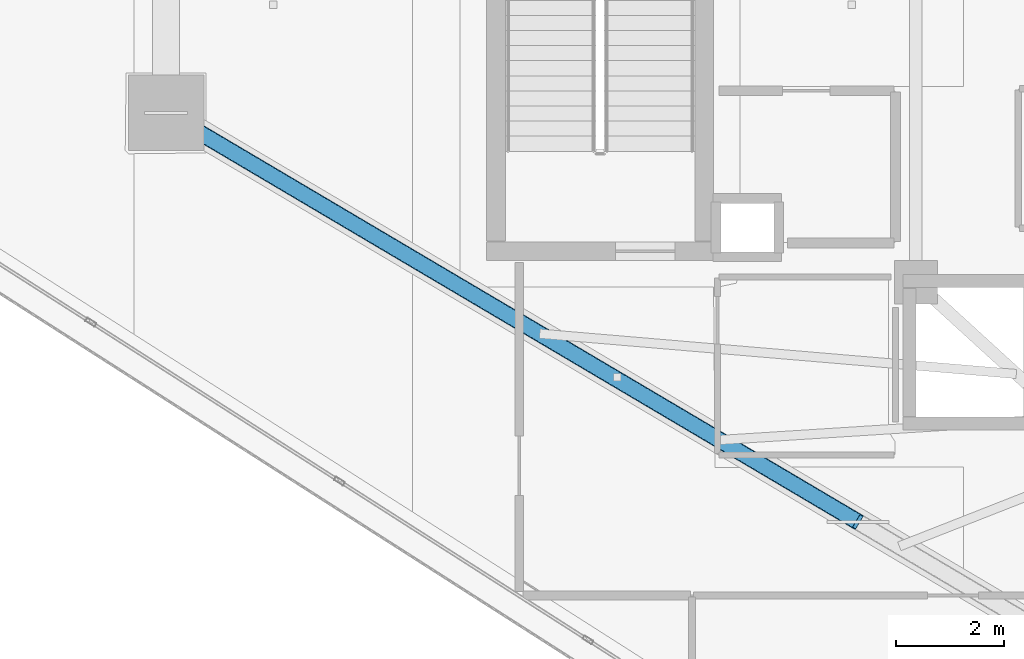
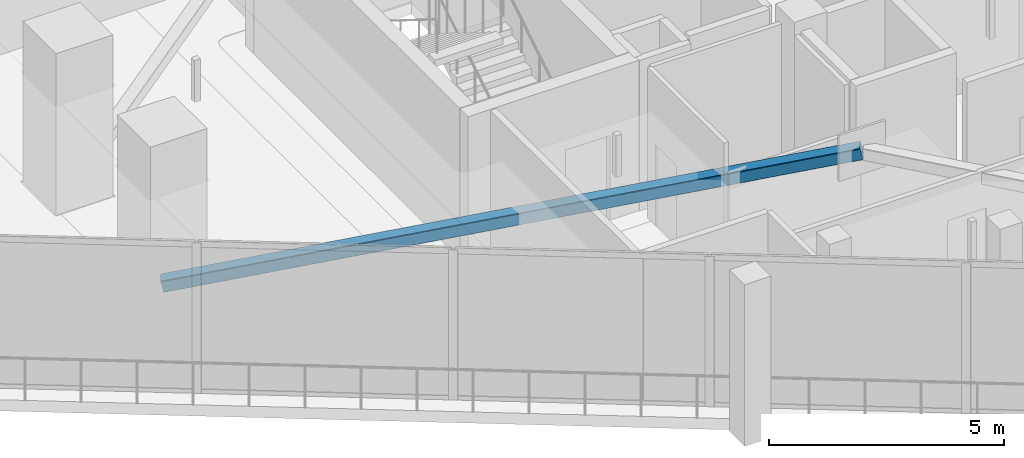
# One storey, part 6 of 30: 1 member.
"""IFC4 building model written with IfcOpenShell, lengths in metres."""

from ifc_helpers import new_model, si_unit, direction, frame, origin, origin_2d, place, context, subcontext, project, spatial, hollow_rectangle, extrude, material, material_profile, profile_set, type_object, element, save


model = new_model("IFC4")

# Units and contexts
model_context = context("Model", 3, precision=1e-05, world=origin(), true_north=direction((0.0, 1.0)))
body_context = subcontext(model_context, "Body", "Model", "MODEL_VIEW")
ifc_project = project(units=[si_unit("LENGTHUNIT", "METRE"), si_unit("AREAUNIT", "SQUARE_METRE"), si_unit("VOLUMEUNIT", "CUBIC_METRE"), si_unit("PLANEANGLEUNIT", "RADIAN"), si_unit("MASSUNIT", "GRAM", prefix="KILO")], contexts=[model_context])

# Site, building, storey
site_placement = place(None, origin())
site = spatial("IfcSite", under=ifc_project, at=site_placement, CompositionType="ELEMENT")
building_placement = place(site_placement, origin())
building = spatial("IfcBuilding", under=site, at=building_placement, Name="Qorvath Tower", CompositionType="ELEMENT")
storey_placement = place(building_placement, frame((0.0, 0.0, 289.199951171875)))
storey = spatial("IfcBuildingStorey", under=building, at=storey_placement, Name="L67", CompositionType="ELEMENT", Elevation=289.199951171875)

# Member
ifc_material = material(Name="Steel ASTM A500 Grade C", Category="steel")
ifc_material_profile = material_profile(ifc_material, hollow_rectangle(XDim=0.3046875, YDim=0.3046875, WallThickness=0.0126953125, InnerFilletRadius=0.0126953125, OuterFilletRadius=0.025390625, at=origin_2d()), Name="HSS 305x305x12.7")
ifc_profile_set = profile_set([ifc_material_profile], Name="Steel ASTM A500 Grade C")
member_type = type_object("IfcMemberType", Name="MEM-MB3", PredefinedType="BRACE", material=ifc_profile_set)
member_placement = place(storey_placement, frame((-44.402587890625, -2.007568359375, 0.0), z_axis=(0.837214286782, -0.495045676303, 0.232383339295), x_axis=(0.508979354273, 0.860778727039, 0.0)))
element("IfcMember", 1, at=member_placement, inside=storey, type_object=member_type, Name="Perimeter Chevron Brace L67-2A", PredefinedType="BRACE", context=body_context, shape_type="SweptSolid", body=[
    extrude(hollow_rectangle(XDim=0.3046875, YDim=0.3046875, WallThickness=0.0126953125, InnerFilletRadius=0.0126953125, OuterFilletRadius=0.025390625, at=origin_2d()), origin(), (0.0, 0.0, 1.0), 15.31982421875),
])

save(model, "model.ifc")
